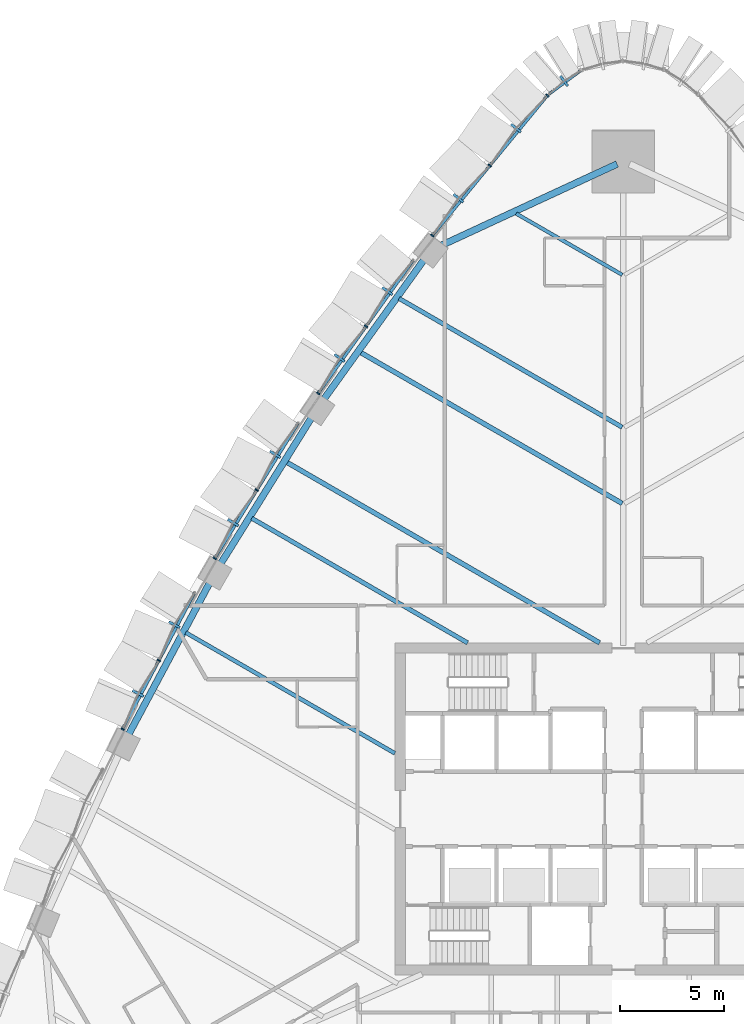
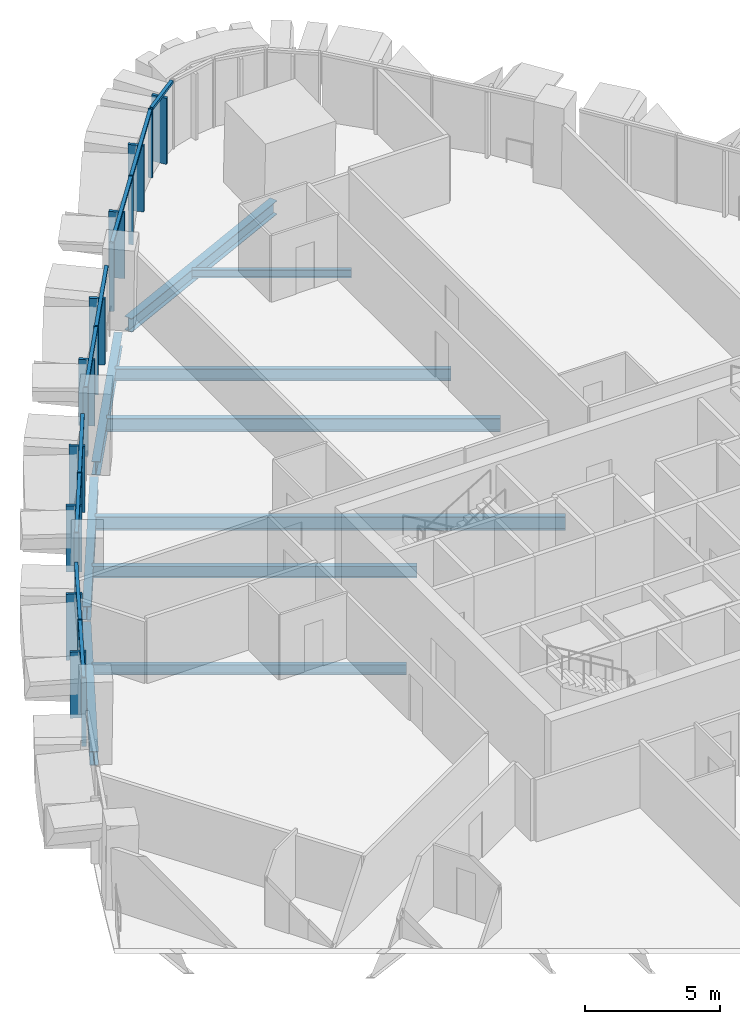
# One storey, part 6 of 24: 27 members, 10 beams, 5 elements without a shape of their own.
"""IFC4 building model written with IfcOpenShell, lengths in metres."""

from ifc_helpers import new_model, si_unit, direction, frame, origin, origin_2d, place, context, subcontext, project, spatial, rectangle, i_section, extrude, material, layer, layer_set, material_profile, profile_set, type_object, element, aggregate, save


model = new_model("IFC4")

# Units and contexts
model_context = context("Model", 3, precision=1e-05, world=origin(), true_north=direction((0.0, 1.0)))
body_context = subcontext(model_context, "Body", "Model", "MODEL_VIEW")
ifc_project = project(units=[si_unit("LENGTHUNIT", "METRE"), si_unit("AREAUNIT", "SQUARE_METRE"), si_unit("VOLUMEUNIT", "CUBIC_METRE"), si_unit("PLANEANGLEUNIT", "RADIAN"), si_unit("MASSUNIT", "GRAM", prefix="KILO")], contexts=[model_context])

# Site, building, storey
site_placement = place(None, origin())
site = spatial("IfcSite", under=ifc_project, at=site_placement, CompositionType="ELEMENT")
building_placement = place(site_placement, origin())
building = spatial("IfcBuilding", under=site, at=building_placement, Name="Sierra Prisma Convention Tower", CompositionType="ELEMENT")
storey_placement = place(building_placement, frame((0.0, 0.0, 55.39990234375)))
storey = spatial("IfcBuildingStorey", under=building, at=storey_placement, Name="L09", CompositionType="ELEMENT", Elevation=55.39990234375)

# Curtain wall, member
ifc_material_1 = material(Name="Aluminium and glass curtain wall", Category="aluminium")
ifc_layer = layer(ifc_material_1, 0.179931640625)
ifc_layer_set = layer_set([ifc_layer], Name="CW-2 Faceted crystal curtain wall")
curtain_wall_type = type_object("IfcCurtainWallType", Name="CW-2 Faceted crystal curtain wall", PredefinedType="NOTDEFINED", material=ifc_layer_set)
curtain_wall_1_placement = place(storey_placement, origin())
curtain_wall_1 = element("IfcCurtainWall", 1, at=curtain_wall_1_placement, inside=storey, type_object=curtain_wall_type, Name="CW-2 N4 L09", PredefinedType="NOTDEFINED")
ifc_material_2 = material(Name="Aluminium 6063-T6 bronze anodised", Category="aluminium")
ifc_material_profile_1 = material_profile(ifc_material_2, rectangle(XDim=0.1201171875, YDim=0.60009765625, at=origin_2d()), Name="ALU RIDGE BLADE 120x600")
ifc_profile_set_1 = profile_set([ifc_material_profile_1], Name="Aluminium 6063-T6 bronze anodised")
member_type_1 = type_object("IfcMemberType", Name="CW hip bronze", PredefinedType="MULLION", material=ifc_profile_set_1)
member_1_placement = place(storey_placement, frame((-2.8564453125, 35.054443359375, 0.0), z_axis=(0.0, 0.0, 1.0), x_axis=(-0.803831816779, -0.594856630067, 0.0)))
member_1 = element("IfcMember", 2, at=member_1_placement, type_object=member_type_1, Name="CW-2 ridge N4.1", PredefinedType="MULLION", context=body_context, shape_type="SweptSolid", body=[
    extrude(rectangle(XDim=0.1201171875, YDim=0.60009765625, at=origin_2d()), origin(), (0.0, 0.0, 1.0), 2.97998046875),
])

# Curtain wall, members
curtain_wall_2_placement = place(storey_placement, origin())
curtain_wall_2 = element("IfcCurtainWall", 3, at=curtain_wall_2_placement, inside=storey, type_object=curtain_wall_type, Name="CW-2 NW1 L09", PredefinedType="NOTDEFINED")
member_2_placement = place(storey_placement, frame((-5.16943359375, 32.78173828125, 0.0), z_axis=(0.0, 0.0, 1.0), x_axis=(-0.634735383024, -0.772729573355, 0.0)))
member_2 = element("IfcMember", 4, at=member_2_placement, type_object=member_type_1, Name="CW-2 ridge NW1.1", PredefinedType="MULLION", context=body_context, shape_type="SweptSolid", body=[
    extrude(rectangle(XDim=0.1201171875, YDim=0.60009765625, at=origin_2d()), origin(), (0.0, 0.0, 1.0), 2.97998046875),
])
member_3_placement = place(storey_placement, frame((-7.940185546875, 29.408447265625, 0.0), z_axis=(0.0, 0.0, 1.0), x_axis=(-0.634735383024, -0.772729573355, 0.0)))
member_3 = element("IfcMember", 5, at=member_3_placement, type_object=member_type_1, Name="CW-2 ridge NW1.2", PredefinedType="MULLION", context=body_context, shape_type="SweptSolid", body=[
    extrude(rectangle(XDim=0.1201171875, YDim=0.60009765625, at=origin_2d()), origin(), (0.0, 0.0, 1.0), 2.97998046875),
])

curtain_wall_3_placement = place(storey_placement, origin())
curtain_wall_3 = element("IfcCurtainWall", 6, at=curtain_wall_3_placement, inside=storey, type_object=curtain_wall_type, Name="CW-2 NW2 L09", PredefinedType="NOTDEFINED")
member_4_placement = place(storey_placement, frame((-11.361572265625, 24.9404296875, 0.0), z_axis=(0.0, 0.0, 1.0), x_axis=(-0.581283235158, -0.813701296868, 0.0)))
member_4 = element("IfcMember", 7, at=member_4_placement, type_object=member_type_1, Name="CW-2 ridge NW2.1", PredefinedType="MULLION", context=body_context, shape_type="SweptSolid", body=[
    extrude(rectangle(XDim=0.1201171875, YDim=0.60009765625, at=origin_2d()), origin(), (0.0, 0.0, 1.0), 2.97998046875),
])
member_5_placement = place(storey_placement, frame((-13.664794921875, 21.716064453125, 0.0), z_axis=(0.0, 0.0, 1.0), x_axis=(-0.581283235158, -0.813701296868, 0.0)))
member_5 = element("IfcMember", 8, at=member_5_placement, type_object=member_type_1, Name="CW-2 ridge NW2.2", PredefinedType="MULLION", context=body_context, shape_type="SweptSolid", body=[
    extrude(rectangle(XDim=0.1201171875, YDim=0.60009765625, at=origin_2d()), origin(), (0.0, 0.0, 1.0), 2.97998046875),
])

curtain_wall_4_placement = place(storey_placement, origin())
curtain_wall_4 = element("IfcCurtainWall", 9, at=curtain_wall_4_placement, inside=storey, type_object=curtain_wall_type, Name="CW-2 NW3 L09", PredefinedType="NOTDEFINED")
member_6_placement = place(storey_placement, frame((-16.7626953125, 17.0751953125, 0.0), z_axis=(0.0, 0.0, 1.0), x_axis=(-0.525194494517, -0.850982222452, 0.0)))
member_6 = element("IfcMember", 10, at=member_6_placement, type_object=member_type_1, Name="CW-2 ridge NW3.1", PredefinedType="MULLION", context=body_context, shape_type="SweptSolid", body=[
    extrude(rectangle(XDim=0.1201171875, YDim=0.60009765625, at=origin_2d()), origin(), (0.0, 0.0, 1.0), 2.97998046875),
])
member_7_placement = place(storey_placement, frame((-18.789794921875, 13.790771484375, 0.0), z_axis=(0.0, 0.0, 1.0), x_axis=(-0.525194494517, -0.850982222452, 0.0)))
member_7 = element("IfcMember", 11, at=member_7_placement, type_object=member_type_1, Name="CW-2 ridge NW3.2", PredefinedType="MULLION", context=body_context, shape_type="SweptSolid", body=[
    extrude(rectangle(XDim=0.1201171875, YDim=0.60009765625, at=origin_2d()), origin(), (0.0, 0.0, 1.0), 2.97998046875),
])

curtain_wall_5_placement = place(storey_placement, origin())
curtain_wall_5 = element("IfcCurtainWall", 12, at=curtain_wall_5_placement, inside=storey, type_object=curtain_wall_type, Name="CW-2 NW4 L09", PredefinedType="NOTDEFINED")
member_8_placement = place(storey_placement, frame((-21.62060546875, 8.873046875, 0.0), z_axis=(0.0, 0.0, 1.0), x_axis=(-0.46672356921, -0.884403250754, 0.0)))
member_8 = element("IfcMember", 13, at=member_8_placement, type_object=member_type_1, Name="CW-2 ridge NW4.1", PredefinedType="MULLION", context=body_context, shape_type="SweptSolid", body=[
    extrude(rectangle(XDim=0.1201171875, YDim=0.60009765625, at=origin_2d()), origin(), (0.0, 0.0, 1.0), 2.97998046875),
])
member_9_placement = place(storey_placement, frame((-23.366455078125, 5.565185546875, 0.0), z_axis=(0.0, 0.0, 1.0), x_axis=(-0.46672356921, -0.884403250754, 0.0)))
member_9 = element("IfcMember", 14, at=member_9_placement, type_object=member_type_1, Name="CW-2 ridge NW4.2", PredefinedType="MULLION", context=body_context, shape_type="SweptSolid", body=[
    extrude(rectangle(XDim=0.1201171875, YDim=0.60009765625, at=origin_2d()), origin(), (0.0, 0.0, 1.0), 2.97998046875),
])

# Member
ifc_material_3 = material(Name="Aluminium 6063-T6 bronze anodised", Category="aluminium")
ifc_material_profile_2 = material_profile(ifc_material_3, rectangle(XDim=0.179931640625, YDim=0.070068359375, at=origin_2d()), Name="ALU MULLION 70x180")
ifc_profile_set_2 = profile_set([ifc_material_profile_2], Name="Aluminium 6063-T6 bronze anodised")
member_type_2 = type_object("IfcMemberType", Name="CW mullion bronze", PredefinedType="MULLION", material=ifc_profile_set_2)
member_10_placement = place(storey_placement, frame((-3.6533203125, 34.361083984375, 0.0), z_axis=(0.0, 0.0, 1.0), x_axis=(0.772729573355, -0.634735383024, 0.0)))
member_10 = element("IfcMember", 15, at=member_10_placement, type_object=member_type_2, Name="CW-1 mullion NW1.1", PredefinedType="MULLION", context=body_context, shape_type="SweptSolid", body=[
    extrude(rectangle(XDim=0.179931640625, YDim=0.070068359375, at=origin_2d()), origin(), (0.0, 0.0, 1.0), 3.10009765625),
])

member_11_placement = place(storey_placement, frame((-6.42431640625, 30.98779296875, 0.0), z_axis=(0.0, 0.0, 1.0), x_axis=(0.772729573355, -0.634735383024, 0.0)))
member_11 = element("IfcMember", 16, at=member_11_placement, type_object=member_type_2, Name="CW-1 mullion NW1.2", PredefinedType="MULLION", context=body_context, shape_type="SweptSolid", body=[
    extrude(rectangle(XDim=0.179931640625, YDim=0.070068359375, at=origin_2d()), origin(), (0.0, 0.0, 1.0), 3.10009765625),
])

member_12_placement = place(storey_placement, frame((-9.195068359375, 27.614501953125, 0.0), z_axis=(0.0, 0.0, 1.0), x_axis=(0.772729573355, -0.634735383024, 0.0)))
member_12 = element("IfcMember", 17, at=member_12_placement, type_object=member_type_2, Name="CW-1 mullion NW1.3", PredefinedType="MULLION", context=body_context, shape_type="SweptSolid", body=[
    extrude(rectangle(XDim=0.179931640625, YDim=0.070068359375, at=origin_2d()), origin(), (0.0, 0.0, 1.0), 3.10009765625),
])

member_13_placement = place(storey_placement, frame((-12.388671875, 23.2392578125, 0.0), z_axis=(0.0, 0.0, 1.0), x_axis=(0.813701296868, -0.581283235158, 0.0)))
member_13 = element("IfcMember", 18, at=member_13_placement, type_object=member_type_2, Name="CW-1 mullion NW2.2", PredefinedType="MULLION", context=body_context, shape_type="SweptSolid", body=[
    extrude(rectangle(XDim=0.179931640625, YDim=0.070068359375, at=origin_2d()), origin(), (0.0, 0.0, 1.0), 3.10009765625),
])

member_14_placement = place(storey_placement, frame((-14.69189453125, 20.01513671875, 0.0), z_axis=(0.0, 0.0, 1.0), x_axis=(0.813701296868, -0.581283235158, 0.0)))
member_14 = element("IfcMember", 19, at=member_14_placement, type_object=member_type_2, Name="CW-1 mullion NW2.3", PredefinedType="MULLION", context=body_context, shape_type="SweptSolid", body=[
    extrude(rectangle(XDim=0.179931640625, YDim=0.070068359375, at=origin_2d()), origin(), (0.0, 0.0, 1.0), 3.10009765625),
])

member_15_placement = place(storey_placement, frame((-17.6494140625, 15.354736328125, 0.0), z_axis=(0.0, 0.0, 1.0), x_axis=(0.850982222452, -0.525194494517, 0.0)))
member_15 = element("IfcMember", 20, at=member_15_placement, type_object=member_type_2, Name="CW-1 mullion NW3.2", PredefinedType="MULLION", context=body_context, shape_type="SweptSolid", body=[
    extrude(rectangle(XDim=0.179931640625, YDim=0.070068359375, at=origin_2d()), origin(), (0.0, 0.0, 1.0), 3.10009765625),
])

member_16_placement = place(storey_placement, frame((-19.67626953125, 12.0703125, 0.0), z_axis=(0.0, 0.0, 1.0), x_axis=(0.850982222452, -0.525194494517, 0.0)))
member_16 = element("IfcMember", 21, at=member_16_placement, type_object=member_type_2, Name="CW-1 mullion NW3.3", PredefinedType="MULLION", context=body_context, shape_type="SweptSolid", body=[
    extrude(rectangle(XDim=0.179931640625, YDim=0.070068359375, at=origin_2d()), origin(), (0.0, 0.0, 1.0), 3.10009765625),
])

member_17_placement = place(storey_placement, frame((-22.36572265625, 7.15185546875, 0.0), z_axis=(0.0, 0.0, 1.0), x_axis=(0.884403250754, -0.46672356921, 0.0)))
member_17 = element("IfcMember", 22, at=member_17_placement, type_object=member_type_2, Name="CW-1 mullion NW4.2", PredefinedType="MULLION", context=body_context, shape_type="SweptSolid", body=[
    extrude(rectangle(XDim=0.179931640625, YDim=0.070068359375, at=origin_2d()), origin(), (0.0, 0.0, 1.0), 3.10009765625),
])

member_18_placement = place(storey_placement, frame((-24.111572265625, 3.84375, 0.0), z_axis=(0.0, 0.0, 1.0), x_axis=(0.884403250754, -0.46672356921, 0.0)))
member_18 = element("IfcMember", 23, at=member_18_placement, type_object=member_type_2, Name="CW-1 mullion NW4.3", PredefinedType="MULLION", context=body_context, shape_type="SweptSolid", body=[
    extrude(rectangle(XDim=0.179931640625, YDim=0.070068359375, at=origin_2d()), origin(), (0.0, 0.0, 1.0), 3.10009765625),
])

ifc_material_4 = material(Name="Aluminium 6063-T6 bronze anodised", Category="aluminium")
ifc_material_profile_3 = material_profile(ifc_material_4, rectangle(XDim=0.139892578125, YDim=0.1201171875, at=origin_2d()), Name="ALU TRANSOM 120x140")
ifc_profile_set_3 = profile_set([ifc_material_profile_3], Name="Aluminium 6063-T6 bronze anodised")
member_type_3 = type_object("IfcMemberType", Name="CW transom bronze", PredefinedType="USERDEFINED", material=ifc_profile_set_3)
member_19_placement = place(storey_placement, frame((-2.048828125, 35.55908203125, 3.0400390625), z_axis=(-0.803825912212, -0.594864608845, 0.0), x_axis=(0.594864608845, -0.803825912212, 0.0)))
member_19 = element("IfcMember", 24, at=member_19_placement, type_object=member_type_3, Name="CW-1 transom N4.1", ObjectType="TRANSOM", PredefinedType="USERDEFINED", context=body_context, shape_type="SweptSolid", body=[
    extrude(rectangle(XDim=0.139892578125, YDim=0.1201171875, at=origin_2d()), origin(), (0.0, 0.0, 1.0), 1.898681640625),
])

aggregate(curtain_wall_1, [member_19, member_1])

member_20_placement = place(storey_placement, frame((-3.675537109375, 34.333984375, 3.0400390625), z_axis=(-0.634762452484, -0.77270733717, 0.0), x_axis=(0.77270733717, -0.634762452484, 0.0)))
member_20 = element("IfcMember", 25, at=member_20_placement, type_object=member_type_3, Name="CW-1 transom NW1.1", ObjectType="TRANSOM", PredefinedType="USERDEFINED", context=body_context, shape_type="SweptSolid", body=[
    extrude(rectangle(XDim=0.139892578125, YDim=0.1201171875, at=origin_2d()), origin(), (0.0, 0.0, 1.0), 4.29541015625),
])

member_21_placement = place(storey_placement, frame((-6.446533203125, 30.960693359375, 3.0400390625), z_axis=(-0.634728514237, -0.772735215461, 0.0), x_axis=(0.772735215461, -0.634728514237, 0.0)))
member_21 = element("IfcMember", 26, at=member_21_placement, type_object=member_type_3, Name="CW-1 transom NW1.2", ObjectType="TRANSOM", PredefinedType="USERDEFINED", context=body_context, shape_type="SweptSolid", body=[
    extrude(rectangle(XDim=0.139892578125, YDim=0.1201171875, at=origin_2d()), origin(), (0.0, 0.0, 1.0), 4.295166015625),
])

aggregate(curtain_wall_2, [member_10, member_11, member_12, member_20, member_2, member_21, member_3])

member_22_placement = place(storey_placement, frame((-10.105712890625, 26.43505859375, 3.0400390625), z_axis=(-0.58130345618, -0.813686851211, 0.0), x_axis=(0.813686851211, -0.58130345618, 0.0)))
member_22 = element("IfcMember", 27, at=member_22_placement, type_object=member_type_3, Name="CW-1 transom NW2.1", ObjectType="TRANSOM", PredefinedType="USERDEFINED", context=body_context, shape_type="SweptSolid", body=[
    extrude(rectangle(XDim=0.139892578125, YDim=0.1201171875, at=origin_2d()), origin(), (0.0, 0.0, 1.0), 3.892333984375),
])

member_23_placement = place(storey_placement, frame((-12.408935546875, 23.210693359375, 3.0400390625), z_axis=(-0.58130345618, -0.813686851211, 0.0), x_axis=(0.813686851211, -0.58130345618, 0.0)))
member_23 = element("IfcMember", 28, at=member_23_placement, type_object=member_type_3, Name="CW-1 transom NW2.2", ObjectType="TRANSOM", PredefinedType="USERDEFINED", context=body_context, shape_type="SweptSolid", body=[
    extrude(rectangle(XDim=0.139892578125, YDim=0.1201171875, at=origin_2d()), origin(), (0.0, 0.0, 1.0), 3.892333984375),
])

aggregate(curtain_wall_3, [member_13, member_14, member_22, member_4, member_23, member_5])

member_24_placement = place(storey_placement, frame((-15.640625, 18.609130859375, 3.0400390625), z_axis=(-0.525218519265, -0.850967394805, 0.0), x_axis=(0.850967394805, -0.525218519265, 0.0)))
member_24 = element("IfcMember", 29, at=member_24_placement, type_object=member_type_3, Name="CW-1 transom NW3.1", ObjectType="TRANSOM", PredefinedType="USERDEFINED", context=body_context, shape_type="SweptSolid", body=[
    extrude(rectangle(XDim=0.139892578125, YDim=0.1201171875, at=origin_2d()), origin(), (0.0, 0.0, 1.0), 3.789306640625),
])

member_25_placement = place(storey_placement, frame((-17.667724609375, 15.324951171875, 3.0400390625), z_axis=(-0.525189724765, -0.850985166146, 0.0), x_axis=(0.850985166146, -0.525189724765, 0.0)))
member_25 = element("IfcMember", 30, at=member_25_placement, type_object=member_type_3, Name="CW-1 transom NW3.2", ObjectType="TRANSOM", PredefinedType="USERDEFINED", context=body_context, shape_type="SweptSolid", body=[
    extrude(rectangle(XDim=0.139892578125, YDim=0.1201171875, at=origin_2d()), origin(), (0.0, 0.0, 1.0), 3.78955078125),
])

aggregate(curtain_wall_4, [member_15, member_16, member_24, member_6, member_25, member_7])

member_26_placement = place(storey_placement, frame((-20.636474609375, 10.4287109375, 3.0400390625), z_axis=(-0.466689250079, -0.884421361038, 0.0), x_axis=(0.884421361038, -0.466689250079, 0.0)))
member_26 = element("IfcMember", 31, at=member_26_placement, type_object=member_type_3, Name="CW-1 transom NW4.1", ObjectType="TRANSOM", PredefinedType="USERDEFINED", context=body_context, shape_type="SweptSolid", body=[
    extrude(rectangle(XDim=0.139892578125, YDim=0.1201171875, at=origin_2d()), origin(), (0.0, 0.0, 1.0), 3.67041015625),
])

member_27_placement = place(storey_placement, frame((-22.382080078125, 7.120849609375, 3.0400390625), z_axis=(-0.466741277996, -0.884393905121, 0.0), x_axis=(0.884393905121, -0.466741277996, 0.0)))
member_27 = element("IfcMember", 32, at=member_27_placement, type_object=member_type_3, Name="CW-1 transom NW4.2", ObjectType="TRANSOM", PredefinedType="USERDEFINED", context=body_context, shape_type="SweptSolid", body=[
    extrude(rectangle(XDim=0.139892578125, YDim=0.1201171875, at=origin_2d()), origin(), (0.0, 0.0, 1.0), 3.67041015625),
])

aggregate(curtain_wall_5, [member_17, member_18, member_26, member_8, member_27, member_9])

# Beams
ifc_material_5 = material(Name="Steel ASTM A992 Gr 50", Category="steel")
ifc_material_profile_4 = material_profile(ifc_material_5, i_section(OverallWidth=0.172119140625, OverallDepth=0.35791015625, WebThickness=0.0078125, FlangeThickness=0.01318359375, at=origin_2d()), Name="W360x57")
ifc_profile_set_4 = profile_set([ifc_material_profile_4], Name="Steel ASTM A992 Gr 50")
beam_type_1 = type_object("IfcBeamType", Name="Floor joist W360x57", PredefinedType="JOIST", material=ifc_profile_set_4)
beam_1_placement = place(storey_placement, frame((-5.161865234375, 28.669921875, -0.328857421875), z_axis=(0.866018804309, -0.500011430453, 0.0), x_axis=(0.500011430453, 0.866018804309, 0.0)))
element("IfcBeam", 33, at=beam_1_placement, inside=storey, type_object=beam_type_1, Name="Floor joist L09 NW02", PredefinedType="JOIST", context=body_context, shape_type="SweptSolid", body=[
    extrude(i_section(OverallWidth=0.172119140625, OverallDepth=0.35791015625, WebThickness=0.0078125, FlangeThickness=0.01318359375, at=origin_2d()), origin(), (0.0, 0.0, 1.0), 5.899169921875),
])
ifc_material_6 = material(Name="Steel ASTM A992 Gr 50", Category="steel")
ifc_material_profile_5 = material_profile(ifc_material_6, i_section(OverallWidth=0.18994140625, OverallDepth=0.45703125, WebThickness=0.009033203125, FlangeThickness=0.014404296875, at=origin_2d()), Name="W460x74")
ifc_profile_set_5 = profile_set([ifc_material_profile_5], Name="Steel ASTM A992 Gr 50")
beam_type_2 = type_object("IfcBeamType", Name="Floor joist W460x74", PredefinedType="JOIST", material=ifc_profile_set_5)
beam_2_placement = place(storey_placement, frame((-21.07080078125, 8.495361328125, -0.37841796875), z_axis=(0.866022663817, -0.500004745733, 0.0), x_axis=(0.500004745733, 0.866022663817, 0.0)))
element("IfcBeam", 34, at=beam_2_placement, inside=storey, type_object=beam_type_2, Name="Floor joist L09 NW10", PredefinedType="JOIST", context=body_context, shape_type="SweptSolid", body=[
    extrude(i_section(OverallWidth=0.18994140625, OverallDepth=0.45703125, WebThickness=0.009033203125, FlangeThickness=0.014404296875, at=origin_2d()), origin(), (0.0, 0.0, 1.0), 11.62890625),
])
ifc_material_7 = material(Name="Steel ASTM A992 Gr 50", Category="steel")
ifc_material_profile_6 = material_profile(ifc_material_7, i_section(OverallWidth=0.208984375, OverallDepth=0.532958984375, WebThickness=0.01025390625, FlangeThickness=0.015625, at=origin_2d()), Name="W530x92")
ifc_profile_set_6 = profile_set([ifc_material_profile_6], Name="Steel ASTM A992 Gr 50")
beam_type_3 = type_object("IfcBeamType", Name="Floor joist W530x92", PredefinedType="JOIST", material=ifc_profile_set_6)
beam_3_placement = place(storey_placement, frame((-10.797119140625, 24.58349609375, -0.41650390625), z_axis=(0.866025664929, -0.499999547685, 0.0), x_axis=(0.499999547685, 0.866025664929, 0.0)))
element("IfcBeam", 35, at=beam_3_placement, inside=storey, type_object=beam_type_3, Name="Floor joist L09 NW04", PredefinedType="JOIST", context=body_context, shape_type="SweptSolid", body=[
    extrude(i_section(OverallWidth=0.208984375, OverallDepth=0.532958984375, WebThickness=0.01025390625, FlangeThickness=0.015625, at=origin_2d()), origin(), (0.0, 0.0, 1.0), 12.40625),
])
beam_4_placement = place(storey_placement, frame((-17.892578125, 14.000244140625, -0.41650390625), z_axis=(0.866027373606, -0.499996588154, 0.0), x_axis=(0.499996588154, 0.866027373606, 0.0)))
element("IfcBeam", 36, at=beam_4_placement, inside=storey, type_object=beam_type_3, Name="Floor joist L09 NW08", PredefinedType="JOIST", context=body_context, shape_type="SweptSolid", body=[
    extrude(i_section(OverallWidth=0.208984375, OverallDepth=0.532958984375, WebThickness=0.01025390625, FlangeThickness=0.015625, at=origin_2d()), origin(), (0.0, 0.0, 1.0), 12.00048828125),
])
ifc_material_8 = material(Name="Steel ASTM A992 Gr 50", Category="steel")
ifc_material_profile_7 = material_profile(ifc_material_8, i_section(OverallWidth=0.22802734375, OverallDepth=0.60302734375, WebThickness=0.010498046875, FlangeThickness=0.014892578125, at=origin_2d()), Name="W610x101")
ifc_profile_set_7 = profile_set([ifc_material_profile_7], Name="Steel ASTM A992 Gr 50")
beam_type_4 = type_object("IfcBeamType", Name="Floor joist W610x101", PredefinedType="JOIST", material=ifc_profile_set_7)
beam_5_placement = place(storey_placement, frame((-12.659423828125, 21.98876953125, -0.451416015625), z_axis=(0.866025828632, -0.499999264141, 0.0), x_axis=(0.499999264141, 0.866025828632, 0.0)))
element("IfcBeam", 37, at=beam_5_placement, inside=storey, type_object=beam_type_4, Name="Floor joist L09 NW05", PredefinedType="JOIST", context=body_context, shape_type="SweptSolid", body=[
    extrude(i_section(OverallWidth=0.22802734375, OverallDepth=0.60302734375, WebThickness=0.010498046875, FlangeThickness=0.014892578125, at=origin_2d()), origin(), (0.0, 0.0, 1.0), 14.556640625),
])
beam_6_placement = place(storey_placement, frame((-16.212646484375, 16.7001953125, -0.451416015625), z_axis=(0.866027639635, -0.499996127374, 0.0), x_axis=(0.499996127374, 0.866027639635, 0.0)))
element("IfcBeam", 38, at=beam_6_placement, inside=storey, type_object=beam_type_4, Name="Floor joist L09 NW07", PredefinedType="JOIST", context=body_context, shape_type="SweptSolid", body=[
    extrude(i_section(OverallWidth=0.22802734375, OverallDepth=0.60302734375, WebThickness=0.010498046875, FlangeThickness=0.014892578125, at=origin_2d()), origin(), (0.0, 0.0, 1.0), 17.400634765625),
])
ifc_material_9 = material(Name="Steel ASTM A992 Gr 50", Category="steel")
ifc_material_profile_8 = material_profile(ifc_material_9, i_section(OverallWidth=0.324951171875, OverallDepth=0.615966796875, WebThickness=0.013916015625, FlangeThickness=0.021484375, at=origin_2d()), Name="W610x174")
ifc_profile_set_8 = profile_set([ifc_material_profile_8], Name="Steel ASTM A992 Gr 50")
beam_type_5 = type_object("IfcBeamType", Name="Spandrel beam W610x174", PredefinedType="BEAM", material=ifc_profile_set_8)
beam_7_placement = place(storey_placement, frame((-0.300048828125, 31.0556640625, -0.4580078125), z_axis=(-0.907405025397, -0.420257206821, 0.0), x_axis=(0.420257206821, -0.907405025397, 0.0)))
element("IfcBeam", 39, at=beam_7_placement, inside=storey, type_object=beam_type_5, Name="Spandrel L09-13", PredefinedType="BEAM", context=body_context, shape_type="SweptSolid", body=[
    extrude(i_section(OverallWidth=0.324951171875, OverallDepth=0.615966796875, WebThickness=0.013916015625, FlangeThickness=0.021484375, at=origin_2d()), origin(), (0.0, 0.0, 1.0), 9.332763671875),
])
beam_8_placement = place(storey_placement, frame((-9.553955078125, 26.50927734375, -0.4580078125), z_axis=(-0.583044373129, -0.812440311015, 0.0), x_axis=(0.812440311015, -0.583044373129, 0.0)))
element("IfcBeam", 40, at=beam_8_placement, inside=storey, type_object=beam_type_5, Name="Spandrel L09-14", PredefinedType="BEAM", context=body_context, shape_type="SweptSolid", body=[
    extrude(i_section(OverallWidth=0.324951171875, OverallDepth=0.615966796875, WebThickness=0.013916015625, FlangeThickness=0.021484375, at=origin_2d()), origin(), (0.0, 0.0, 1.0), 8.39404296875),
])
beam_9_placement = place(storey_placement, frame((-14.98193359375, 18.8916015625, -0.4580078125), z_axis=(-0.528256691092, -0.849084723874, 0.0), x_axis=(0.849084723874, -0.528256691092, 0.0)))
element("IfcBeam", 41, at=beam_9_placement, inside=storey, type_object=beam_type_5, Name="Spandrel L09-15", PredefinedType="BEAM", context=body_context, shape_type="SweptSolid", body=[
    extrude(i_section(OverallWidth=0.324951171875, OverallDepth=0.615966796875, WebThickness=0.013916015625, FlangeThickness=0.021484375, at=origin_2d()), origin(), (0.0, 0.0, 1.0), 8.394287109375),
])
beam_10_placement = place(storey_placement, frame((-19.896240234375, 10.9326171875, -0.4580078125), z_axis=(-0.47120252461, -0.88202504545, 0.0), x_axis=(0.88202504545, -0.47120252461, 0.0)))
element("IfcBeam", 42, at=beam_10_placement, inside=storey, type_object=beam_type_5, Name="Spandrel L09-16", PredefinedType="BEAM", context=body_context, shape_type="SweptSolid", body=[
    extrude(i_section(OverallWidth=0.324951171875, OverallDepth=0.615966796875, WebThickness=0.013916015625, FlangeThickness=0.021484375, at=origin_2d()), origin(), (0.0, 0.0, 1.0), 8.39404296875),
])

save(model, "model.ifc")
